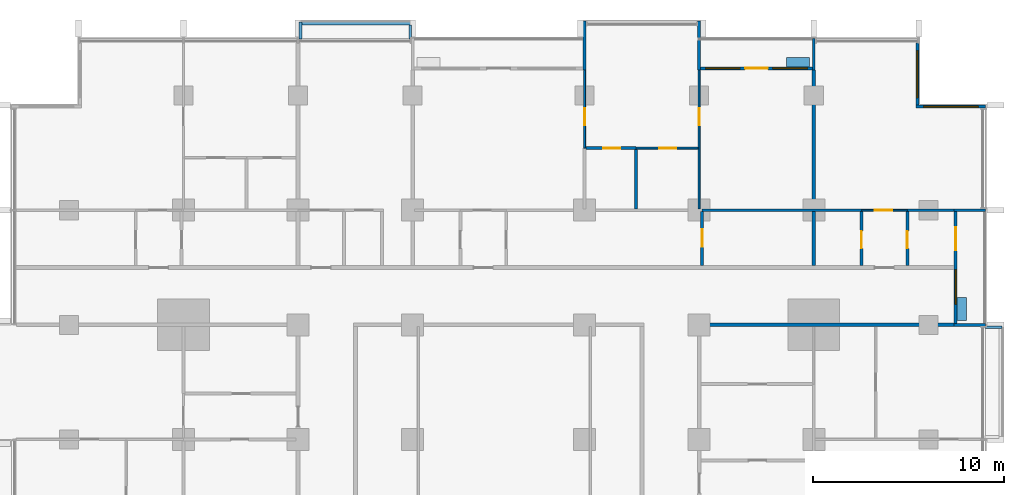
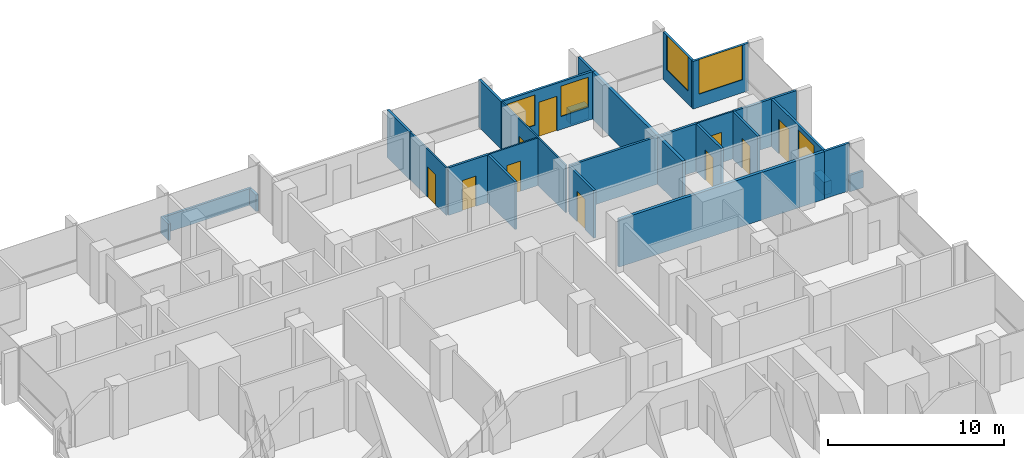
# One storey, part 12 of 19: 29 walls, 10 doors, 5 windows, 15 openings.
"""IFC4 building model written with IfcOpenShell, lengths in metres."""

from ifc_helpers import new_model, si_unit, direction, frame, frame_2d, origin, place, context, subcontext, project, spatial, rectangle, extrude, material, layer, layer_set, type_object, element, fill, save


model = new_model("IFC4")

# Units and contexts
model_context = context("Model", 3, precision=1e-05, world=origin(), true_north=direction((0.0, 1.0)))
body_context = subcontext(model_context, "Body", "Model", "MODEL_VIEW")
ifc_project = project(units=[si_unit("LENGTHUNIT", "METRE"), si_unit("AREAUNIT", "SQUARE_METRE"), si_unit("VOLUMEUNIT", "CUBIC_METRE"), si_unit("PLANEANGLEUNIT", "RADIAN"), si_unit("MASSUNIT", "GRAM", prefix="KILO")], contexts=[model_context])

# Site, building, storey
site_placement = place(None, origin())
site = spatial("IfcSite", under=ifc_project, at=site_placement, CompositionType="ELEMENT")
building_placement = place(site_placement, origin())
building = spatial("IfcBuilding", under=site, at=building_placement, Name="Finial Court Residences", CompositionType="ELEMENT")
storey_placement = place(building_placement, frame((0.0, 0.0, 88.300048828125)))
storey = spatial("IfcBuildingStorey", under=building, at=storey_placement, Name="L21", CompositionType="ELEMENT", Elevation=88.300048828125)

# Walls
ifc_material_1 = material(Name="Gypsum board")
ifc_layer_1 = layer(ifc_material_1, 0.02490234375)
ifc_material_2 = material(Name="Acoustic mineral wool in double frame")
ifc_layer_2 = layer(ifc_material_2, 0.14990234375)
ifc_layer_3 = layer(ifc_material_1, 0.02490234375)
ifc_layer_set_1 = layer_set([ifc_layer_1, ifc_layer_2, ifc_layer_3], Name="Acoustic party wall 200, 1 hour")
wall_type_1 = type_object("IfcWallType", Name="Acoustic party wall 200, 1 hour", PredefinedType="PARTITIONING", material=ifc_layer_set_1)
wall_1_placement = place(storey_placement, frame((16.5, 10.60009765625, 0.0), z_axis=(0.0, 0.0, 1.0), x_axis=(0.0, 1.0, 0.0)))
element("IfcWall", 1, at=wall_1_placement, inside=storey, type_object=wall_type_1, Name="Partition L21-077", PredefinedType="PARTITIONING", context=body_context, shape_type="SweptSolid", body=[
    extrude(rectangle(XDim=2.824951171875, YDim=0.199951171875, at=frame_2d((1.41259765625, 0.0))), origin(), (0.0, 0.0, 1.0), 3.300048828125),
])
wall_2_placement = place(storey_placement, frame((16.5, 13.574951171875, 0.0), z_axis=(0.0, 0.0, 1.0), x_axis=(0.0, 1.0, 0.0)))
element("IfcWall", 2, at=wall_2_placement, inside=storey, type_object=wall_type_1, Name="Partition L21-078", PredefinedType="PARTITIONING", context=body_context, shape_type="SweptSolid", body=[
    extrude(rectangle(XDim=7.275146484375, YDim=0.199951171875, at=frame_2d((3.6376953125, 0.0))), origin(), (0.0, 0.0, 1.0), 3.300048828125),
])
ifc_layer_4 = layer(ifc_material_1, 0.02490234375)
ifc_layer_5 = layer(ifc_material_2, 0.14990234375)
ifc_layer_6 = layer(ifc_material_1, 0.02490234375)
ifc_layer_set_2 = layer_set([ifc_layer_4, ifc_layer_5, ifc_layer_6], Name="Corridor wall 200, 1 hour")
wall_type_2 = type_object("IfcWallType", Name="Corridor wall 200, 1 hour", PredefinedType="PARTITIONING", material=ifc_layer_set_2)
wall_3_placement = place(storey_placement, frame((10.39990234375, 7.5, 0.0), z_axis=(0.0, 0.0, 1.0), x_axis=(1.0, 0.0, 0.0)))
element("IfcWall", 3, at=wall_3_placement, inside=storey, type_object=wall_type_2, Name="Partition L21-024", PredefinedType="PARTITIONING", context=body_context, shape_type="SweptSolid", body=[
    extrude(rectangle(XDim=13.4501953125, YDim=0.199951171875, at=frame_2d((6.72509765625, 0.0))), origin(), (0.0, 0.0, 1.0), 3.300048828125),
])

# Wall, opening, door
ifc_layer_7 = layer(ifc_material_1, 0.012451171875)
ifc_material_3 = material(Name="Mineral wool in light-gauge frame")
ifc_layer_8 = layer(ifc_material_3, 0.074951171875)
ifc_layer_9 = layer(ifc_material_1, 0.012451171875)
ifc_layer_set_3 = layer_set([ifc_layer_7, ifc_layer_8, ifc_layer_9], Name="Gypsum board partition 100")
wall_type_3 = type_object("IfcWallType", Name="Gypsum board partition 100", PredefinedType="PARTITIONING", material=ifc_layer_set_3)
wall_4_placement = place(storey_placement, frame((19.0, 13.5, 0.0), z_axis=(0.0, 0.0, 1.0), x_axis=(1.0, 0.0, 0.0)))
wall_4 = element("IfcWall", 4, at=wall_4_placement, inside=storey, type_object=wall_type_3, Name="Partition L21-029", PredefinedType="PARTITIONING", context=body_context, shape_type="SweptSolid", body=[
    extrude(rectangle(XDim=2.39990234375, YDim=0.10009765625, at=frame_2d((1.199951171875, 0.0))), origin(), (0.0, 0.0, 1.0), 3.300048828125),
])
opening_1_placement = place(wall_4_placement, frame((0.699951171875, 0.0, 0.0)))
opening_1 = element("IfcOpeningElement", 5, at=opening_1_placement, cuts=wall_4, Name="Opening L21-D025", PredefinedType="OPENING", context=body_context, shape_type="SweptSolid", body=[
    extrude(rectangle(XDim=0.89990234375, YDim=2.10009765625, at=frame_2d((0.449951171875, 1.050048828125))), frame((0.0, 0.06005859375, 0.0), z_axis=(0.0, -1.0, 0.0), x_axis=(1.0, 0.0, 0.0)), (0.0, 0.0, 1.0), 0.1201171875),
])
ifc_material_4 = material(Name="Timber door leaf in timber frame", Category="wood")
door_type_1 = type_object("IfcDoorType", Name="Door set 900 x 2100", OperationType="SINGLE_SWING_LEFT", PredefinedType="DOOR", material=ifc_material_4)
door_1_placement = place(opening_1_placement, origin())
door_1 = element("IfcDoor", 6, at=door_1_placement, inside=storey, type_object=door_type_1, Name="Door L21-D025", OperationType="SINGLE_SWING_RIGHT", OverallHeight=2.10009765625, OverallWidth=0.89990234375, PredefinedType="DOOR", context=body_context, shape_type="SweptSolid", body=[
    extrude(rectangle(XDim=0.89990234375, YDim=2.10009765625, at=frame_2d((0.449951171875, 1.050048828125))), frame((0.0, 0.02490234375, 0.0), z_axis=(0.0, -1.0, 0.0), x_axis=(1.0, 0.0, 0.0)), (0.0, 0.0, 1.0), 0.050048828125),
])
fill(opening_1, door_1)

wall_5_placement = place(storey_placement, frame((7.199951171875, 16.75, 0.0), z_axis=(0.0, 0.0, 1.0), x_axis=(1.0, 0.0, 0.0)))
wall_5 = element("IfcWall", 7, at=wall_5_placement, inside=storey, type_object=wall_type_3, Name="Partition L21-039", PredefinedType="PARTITIONING", context=body_context, shape_type="SweptSolid", body=[
    extrude(rectangle(XDim=3.25, YDim=0.10009765625, at=frame_2d((1.625, 0.0))), origin(), (0.0, 0.0, 1.0), 3.300048828125),
])
opening_2_placement = place(wall_5_placement, frame((1.199951171875, 0.0, 0.0)))
opening_2 = element("IfcOpeningElement", 8, at=opening_2_placement, cuts=wall_5, Name="Opening L21-D029", PredefinedType="OPENING", context=body_context, shape_type="SweptSolid", body=[
    extrude(rectangle(XDim=0.89990234375, YDim=2.10009765625, at=frame_2d((0.449951171875, 1.050048828125))), frame((0.0, 0.06005859375, 0.0), z_axis=(0.0, -1.0, 0.0), x_axis=(1.0, 0.0, 0.0)), (0.0, 0.0, 1.0), 0.1201171875),
])
door_2_placement = place(opening_2_placement, origin())
door_2 = element("IfcDoor", 9, at=door_2_placement, inside=storey, type_object=door_type_1, Name="Door L21-D029", OperationType="SINGLE_SWING_LEFT", OverallHeight=2.10009765625, OverallWidth=0.89990234375, PredefinedType="DOOR", context=body_context, shape_type="SweptSolid", body=[
    extrude(rectangle(XDim=0.89990234375, YDim=2.10009765625, at=frame_2d((0.449951171875, 1.050048828125))), frame((0.0, 0.02490234375, 0.0), z_axis=(0.0, -1.0, 0.0), x_axis=(1.0, 0.0, 0.0)), (0.0, 0.0, 1.0), 0.050048828125),
])
fill(opening_2, door_2)

wall_6_placement = place(storey_placement, frame((4.5, 16.75, 0.0), z_axis=(0.0, 0.0, 1.0), x_axis=(0.0, 1.0, 0.0)))
wall_6 = element("IfcWall", 10, at=wall_6_placement, inside=storey, type_object=wall_type_3, Name="Partition L21-064", PredefinedType="PARTITIONING", context=body_context, shape_type="SweptSolid", body=[
    extrude(rectangle(XDim=4.10009765625, YDim=0.10009765625, at=frame_2d((2.050048828125, 0.0))), origin(), (0.0, 0.0, 1.0), 3.300048828125),
])
opening_3_placement = place(wall_6_placement, frame((1.199951171875, 0.0, 0.0)))
opening_3 = element("IfcOpeningElement", 11, at=opening_3_placement, cuts=wall_6, Name="Opening L21-D042", PredefinedType="OPENING", context=body_context, shape_type="SweptSolid", body=[
    extrude(rectangle(XDim=0.89990234375, YDim=2.10009765625, at=frame_2d((0.449951171875, 1.050048828125))), frame((0.0, 0.06005859375, 0.0), z_axis=(0.0, -1.0, 0.0), x_axis=(1.0, 0.0, 0.0)), (0.0, 0.0, 1.0), 0.1201171875),
])
door_3_placement = place(opening_3_placement, origin())
door_3 = element("IfcDoor", 12, at=door_3_placement, inside=storey, type_object=door_type_1, Name="Door L21-D042", OperationType="SINGLE_SWING_LEFT", OverallHeight=2.10009765625, OverallWidth=0.89990234375, PredefinedType="DOOR", context=body_context, shape_type="SweptSolid", body=[
    extrude(rectangle(XDim=0.89990234375, YDim=2.10009765625, at=frame_2d((0.449951171875, 1.050048828125))), frame((0.0, 0.02490234375, 0.0), z_axis=(0.0, -1.0, 0.0), x_axis=(1.0, 0.0, 0.0)), (0.0, 0.0, 1.0), 0.050048828125),
])
fill(opening_3, door_3)

wall_7_placement = place(storey_placement, frame((10.5, 13.574951171875, 0.0), z_axis=(0.0, 0.0, 1.0), x_axis=(0.0, 1.0, 0.0)))
wall_7 = element("IfcWall", 13, at=wall_7_placement, inside=storey, type_object=wall_type_3, Name="Partition L21-070", PredefinedType="PARTITIONING", context=body_context, shape_type="SweptSolid", body=[
    extrude(rectangle(XDim=7.275146484375, YDim=0.10009765625, at=frame_2d((3.6376953125, 0.0))), origin(), (0.0, 0.0, 1.0), 3.300048828125),
])
opening_4_placement = place(wall_7_placement, frame((4.375, 0.0, 0.0)))
opening_4 = element("IfcOpeningElement", 14, at=opening_4_placement, cuts=wall_7, Name="Opening L21-D044", PredefinedType="OPENING", context=body_context, shape_type="SweptSolid", body=[
    extrude(rectangle(XDim=0.89990234375, YDim=2.10009765625, at=frame_2d((0.449951171875, 1.050048828125))), frame((0.0, 0.06005859375, 0.0), z_axis=(0.0, -1.0, 0.0), x_axis=(1.0, 0.0, 0.0)), (0.0, 0.0, 1.0), 0.1201171875),
])
door_4_placement = place(opening_4_placement, origin())
door_4 = element("IfcDoor", 15, at=door_4_placement, inside=storey, type_object=door_type_1, Name="Door L21-D044", OperationType="SINGLE_SWING_RIGHT", OverallHeight=2.10009765625, OverallWidth=0.89990234375, PredefinedType="DOOR", context=body_context, shape_type="SweptSolid", body=[
    extrude(rectangle(XDim=0.89990234375, YDim=2.10009765625, at=frame_2d((0.449951171875, 1.050048828125))), frame((0.0, 0.02490234375, 0.0), z_axis=(0.0, -1.0, 0.0), x_axis=(1.0, 0.0, 0.0)), (0.0, 0.0, 1.0), 0.050048828125),
])
fill(opening_4, door_4)

# Walls
ifc_material_5 = material(Name="Moisture-resistant gypsum board")
ifc_layer_10 = layer(ifc_material_5, 0.012451171875)
ifc_layer_11 = layer(ifc_material_3, 0.125)
ifc_layer_12 = layer(ifc_material_5, 0.012451171875)
ifc_layer_set_4 = layer_set([ifc_layer_10, ifc_layer_11, ifc_layer_12], Name="Gypsum board wet-area partition 150")
wall_type_4 = type_object("IfcWallType", Name="Gypsum board wet-area partition 150", PredefinedType="PARTITIONING", material=ifc_layer_set_4)
wall_8_placement = place(storey_placement, frame((10.64990234375, 13.5, 0.0), z_axis=(0.0, 0.0, 1.0), x_axis=(1.0, 0.0, 0.0)))
element("IfcWall", 16, at=wall_8_placement, inside=storey, type_object=wall_type_4, Name="Partition L21-035", PredefinedType="PARTITIONING", context=body_context, shape_type="SweptSolid", body=[
    extrude(rectangle(XDim=8.35009765625, YDim=0.14990234375, at=frame_2d((4.175048828125, 0.0))), origin(), (0.0, 0.0, 1.0), 3.300048828125),
])
wall_9_placement = place(storey_placement, frame((21.39990234375, 13.5, 0.0), z_axis=(0.0, 0.0, 1.0), x_axis=(1.0, 0.0, 0.0)))
element("IfcWall", 17, at=wall_9_placement, inside=storey, type_object=wall_type_4, Name="Partition L21-036", PredefinedType="PARTITIONING", context=body_context, shape_type="SweptSolid", body=[
    extrude(rectangle(XDim=2.4501953125, YDim=0.14990234375, at=frame_2d((1.22509765625, 0.0))), origin(), (0.0, 0.0, 1.0), 3.300048828125),
])

# Wall, opening, door
wall_10_placement = place(storey_placement, frame((4.574951171875, 16.75, 0.0), z_axis=(0.0, 0.0, 1.0), x_axis=(1.0, 0.0, 0.0)))
wall_10 = element("IfcWall", 18, at=wall_10_placement, inside=storey, type_object=wall_type_4, Name="Partition L21-040", PredefinedType="PARTITIONING", context=body_context, shape_type="SweptSolid", body=[
    extrude(rectangle(XDim=2.625, YDim=0.14990234375, at=frame_2d((1.3125, 0.0))), origin(), (0.0, 0.0, 1.0), 3.300048828125),
])
opening_5_placement = place(wall_10_placement, frame((0.89990234375, 0.0, 0.0)))
opening_5 = element("IfcOpeningElement", 19, at=opening_5_placement, cuts=wall_10, Name="Opening L21-D030", PredefinedType="OPENING", context=body_context, shape_type="SweptSolid", body=[
    extrude(rectangle(XDim=0.89990234375, YDim=2.10009765625, at=frame_2d((0.449951171875, 1.050048828125))), frame((0.0, 0.0849609375, 0.0), z_axis=(0.0, -1.0, 0.0), x_axis=(1.0, 0.0, 0.0)), (0.0, 0.0, 1.0), 0.169921875),
])
door_5_placement = place(opening_5_placement, origin())
door_5 = element("IfcDoor", 20, at=door_5_placement, inside=storey, type_object=door_type_1, Name="Door L21-D030", OperationType="SINGLE_SWING_RIGHT", OverallHeight=2.10009765625, OverallWidth=0.89990234375, PredefinedType="DOOR", context=body_context, shape_type="SweptSolid", body=[
    extrude(rectangle(XDim=0.89990234375, YDim=2.10009765625, at=frame_2d((0.449951171875, 1.050048828125))), frame((0.0, 0.02490234375, 0.0), z_axis=(0.0, -1.0, 0.0), x_axis=(1.0, 0.0, 0.0)), (0.0, 0.0, 1.0), 0.050048828125),
])
fill(opening_5, door_5)

# Wall
wall_11_placement = place(storey_placement, frame((7.199951171875, 13.574951171875, 0.0), z_axis=(0.0, 0.0, 1.0), x_axis=(0.0, 1.0, 0.0)))
element("IfcWall", 21, at=wall_11_placement, inside=storey, type_object=wall_type_4, Name="Partition L21-067", PredefinedType="PARTITIONING", context=body_context, shape_type="SweptSolid", body=[
    extrude(rectangle(XDim=3.10009765625, YDim=0.14990234375, at=frame_2d((1.550048828125, 0.0))), origin(), (0.0, 0.0, 1.0), 3.300048828125),
])

# Wall, opening, door
wall_12_placement = place(storey_placement, frame((10.64990234375, 10.60009765625, 0.0), z_axis=(0.0, 0.0, 1.0), x_axis=(0.0, 1.0, 0.0)))
wall_12 = element("IfcWall", 22, at=wall_12_placement, inside=storey, type_object=wall_type_4, Name="Partition L21-071", PredefinedType="PARTITIONING", context=body_context, shape_type="SweptSolid", body=[
    extrude(rectangle(XDim=2.824951171875, YDim=0.14990234375, at=frame_2d((1.41259765625, 0.0))), origin(), (0.0, 0.0, 1.0), 3.300048828125),
])
opening_6_placement = place(wall_12_placement, frame((1.0, 0.0, 0.0)))
opening_6 = element("IfcOpeningElement", 23, at=opening_6_placement, cuts=wall_12, Name="Opening L21-D045", PredefinedType="OPENING", context=body_context, shape_type="SweptSolid", body=[
    extrude(rectangle(XDim=0.89990234375, YDim=2.10009765625, at=frame_2d((0.449951171875, 1.050048828125))), frame((0.0, 0.0849609375, 0.0), z_axis=(0.0, -1.0, 0.0), x_axis=(1.0, 0.0, 0.0)), (0.0, 0.0, 1.0), 0.169921875),
])
door_6_placement = place(opening_6_placement, origin())
door_6 = element("IfcDoor", 24, at=door_6_placement, inside=storey, type_object=door_type_1, Name="Door L21-D045", OperationType="SINGLE_SWING_RIGHT", OverallHeight=2.10009765625, OverallWidth=0.89990234375, PredefinedType="DOOR", context=body_context, shape_type="SweptSolid", body=[
    extrude(rectangle(XDim=0.89990234375, YDim=2.10009765625, at=frame_2d((0.449951171875, 1.050048828125))), frame((0.0, 0.02490234375, 0.0), z_axis=(0.0, -1.0, 0.0), x_axis=(1.0, 0.0, 0.0)), (0.0, 0.0, 1.0), 0.050048828125),
])
fill(opening_6, door_6)

wall_13_placement = place(storey_placement, frame((19.0, 10.60009765625, 0.0), z_axis=(0.0, 0.0, 1.0), x_axis=(0.0, 1.0, 0.0)))
wall_13 = element("IfcWall", 25, at=wall_13_placement, inside=storey, type_object=wall_type_4, Name="Partition L21-081", PredefinedType="PARTITIONING", context=body_context, shape_type="SweptSolid", body=[
    extrude(rectangle(XDim=2.824951171875, YDim=0.14990234375, at=frame_2d((1.41259765625, 0.0))), origin(), (0.0, 0.0, 1.0), 3.300048828125),
])
opening_7_placement = place(wall_13_placement, frame((0.89990234375, 0.0, 0.0)))
opening_7 = element("IfcOpeningElement", 26, at=opening_7_placement, cuts=wall_13, Name="Opening L21-D048", PredefinedType="OPENING", context=body_context, shape_type="SweptSolid", body=[
    extrude(rectangle(XDim=0.89990234375, YDim=2.10009765625, at=frame_2d((0.449951171875, 1.050048828125))), frame((0.0, 0.0849609375, 0.0), z_axis=(0.0, -1.0, 0.0), x_axis=(1.0, 0.0, 0.0)), (0.0, 0.0, 1.0), 0.169921875),
])
door_7_placement = place(opening_7_placement, origin())
door_7 = element("IfcDoor", 27, at=door_7_placement, inside=storey, type_object=door_type_1, Name="Door L21-D048", OperationType="SINGLE_SWING_RIGHT", OverallHeight=2.10009765625, OverallWidth=0.89990234375, PredefinedType="DOOR", context=body_context, shape_type="SweptSolid", body=[
    extrude(rectangle(XDim=0.89990234375, YDim=2.10009765625, at=frame_2d((0.449951171875, 1.050048828125))), frame((0.0, 0.02490234375, 0.0), z_axis=(0.0, -1.0, 0.0), x_axis=(1.0, 0.0, 0.0)), (0.0, 0.0, 1.0), 0.050048828125),
])
fill(opening_7, door_7)

wall_14_placement = place(storey_placement, frame((21.39990234375, 10.60009765625, 0.0), z_axis=(0.0, 0.0, 1.0), x_axis=(0.0, 1.0, 0.0)))
wall_14 = element("IfcWall", 28, at=wall_14_placement, inside=storey, type_object=wall_type_4, Name="Partition L21-086", PredefinedType="PARTITIONING", context=body_context, shape_type="SweptSolid", body=[
    extrude(rectangle(XDim=2.824951171875, YDim=0.14990234375, at=frame_2d((1.41259765625, 0.0))), origin(), (0.0, 0.0, 1.0), 3.300048828125),
])
opening_8_placement = place(wall_14_placement, frame((0.89990234375, 0.0, 0.0)))
opening_8 = element("IfcOpeningElement", 29, at=opening_8_placement, cuts=wall_14, Name="Opening L21-D053", PredefinedType="OPENING", context=body_context, shape_type="SweptSolid", body=[
    extrude(rectangle(XDim=0.89990234375, YDim=2.10009765625, at=frame_2d((0.449951171875, 1.050048828125))), frame((0.0, 0.0849609375, 0.0), z_axis=(0.0, -1.0, 0.0), x_axis=(1.0, 0.0, 0.0)), (0.0, 0.0, 1.0), 0.169921875),
])
door_8_placement = place(opening_8_placement, origin())
door_8 = element("IfcDoor", 30, at=door_8_placement, inside=storey, type_object=door_type_1, Name="Door L21-D053", OperationType="SINGLE_SWING_RIGHT", OverallHeight=2.10009765625, OverallWidth=0.89990234375, PredefinedType="DOOR", context=body_context, shape_type="SweptSolid", body=[
    extrude(rectangle(XDim=0.89990234375, YDim=2.10009765625, at=frame_2d((0.449951171875, 1.050048828125))), frame((0.0, 0.02490234375, 0.0), z_axis=(0.0, -1.0, 0.0), x_axis=(1.0, 0.0, 0.0)), (0.0, 0.0, 1.0), 0.050048828125),
])
fill(opening_8, door_8)

# Walls
ifc_material_6 = material(Name="Concrete C35/45", Category="concrete")
ifc_layer_13 = layer(ifc_material_6, 0.14990234375)
ifc_layer_set_5 = layer_set([ifc_layer_13], Name="Ledge parapet, Concrete C35/45 150")
wall_type_5 = type_object("IfcWallType", Name="Ledge parapet, Concrete C35/45 150", PredefinedType="PARAPET", material=ifc_layer_set_5)
wall_15_placement = place(storey_placement, frame((-10.375, 22.4599609375, 0.0), z_axis=(0.0, 0.0, 1.0), x_axis=(0.0, 1.0, 0.0)))
element("IfcWall", 31, at=wall_15_placement, inside=storey, type_object=wall_type_5, Name="E-L21-LED1-P1", PredefinedType="PARAPET", context=body_context, shape_type="SweptSolid", body=[
    extrude(rectangle(XDim=0.89013671875, YDim=0.14990234375, at=frame_2d((0.445068359375, 0.0))), origin(), (0.0, 0.0, 1.0), 1.14990234375),
])
wall_16_placement = place(storey_placement, frame((-10.300048828125, 23.27490234375, 0.0), z_axis=(0.0, 0.0, 1.0), x_axis=(1.0, 0.0, 0.0)))
element("IfcWall", 32, at=wall_16_placement, inside=storey, type_object=wall_type_5, Name="E-L21-LED1-P2", PredefinedType="PARAPET", context=body_context, shape_type="SweptSolid", body=[
    extrude(rectangle(XDim=5.75, YDim=0.14990234375, at=frame_2d((2.875, 0.0))), origin(), (0.0, 0.0, 1.0), 1.14990234375),
])
wall_17_placement = place(storey_placement, frame((-4.625, 23.199951171875, 0.0), z_axis=(0.0, 0.0, 1.0), x_axis=(0.0, -1.0, 0.0)))
element("IfcWall", 33, at=wall_17_placement, inside=storey, type_object=wall_type_5, Name="E-L21-LED1-P3", PredefinedType="PARAPET", context=body_context, shape_type="SweptSolid", body=[
    extrude(rectangle(XDim=0.739990234375, YDim=0.14990234375, at=frame_2d((0.3701171875, 0.0))), origin(), (0.0, 0.0, 1.0), 1.14990234375),
])
wall_18_placement = place(storey_placement, frame((25.4599609375, 7.375, 0.0), z_axis=(0.0, 0.0, 1.0), x_axis=(1.0, 0.0, 0.0)))
element("IfcWall", 34, at=wall_18_placement, inside=storey, type_object=wall_type_5, Name="E-L21-LED2-P1", PredefinedType="PARAPET", context=body_context, shape_type="SweptSolid", body=[
    extrude(rectangle(XDim=0.89013671875, YDim=0.14990234375, at=frame_2d((0.445068359375, 0.0))), origin(), (0.0, 0.0, 1.0), 1.14990234375),
])

# Wall, opening, window
ifc_material_7 = material(Name="Natural limestone", Category="masonry")
ifc_layer_14 = layer(ifc_material_7, 0.14990234375)
ifc_layer_set_6 = layer_set([ifc_layer_14], Name="Limestone clad wall 150")
wall_type_6 = type_object("IfcWallType", Name="Limestone clad wall 150", PredefinedType="SOLIDWALL", material=ifc_layer_set_6)
wall_19_placement = place(storey_placement, frame((21.925048828125, 22.25, 0.0), z_axis=(0.0, 0.0, 1.0), x_axis=(0.0, -1.0, 0.0)))
wall_19 = element("IfcWall", 35, at=wall_19_placement, inside=storey, type_object=wall_type_6, Name="E-L21-NWE20", PredefinedType="SOLIDWALL", context=body_context, shape_type="SweptSolid", body=[
    extrude(rectangle(XDim=3.25, YDim=0.14990234375, at=frame_2d((1.625, 0.0))), origin(), (0.0, 0.0, 1.0), 3.300048828125),
])
opening_9_placement = place(wall_19_placement, frame((0.39990234375, 0.0, 0.89990234375)))
opening_9 = element("IfcOpeningElement", 36, at=opening_9_placement, cuts=wall_19, Name="Opening WE21-07", PredefinedType="OPENING", context=body_context, shape_type="SweptSolid", body=[
    extrude(rectangle(XDim=2.449951171875, YDim=2.39990234375, at=frame_2d((1.22509765625, 1.199951171875))), frame((0.0, 0.0849609375, 0.0), z_axis=(0.0, -1.0, 0.0), x_axis=(1.0, 0.0, 0.0)), (0.0, 0.0, 1.0), 0.169921875),
])
ifc_material_8 = material(Name="Clear low-e glass", Category="glass")
window_type_1 = type_object("IfcWindowType", Name="Corner window 2450 x 2400", PartitioningType="SINGLE_PANEL", PredefinedType="WINDOW", material=ifc_material_8)
window_1_placement = place(opening_9_placement, origin())
window_1 = element("IfcWindow", 37, at=window_1_placement, inside=storey, type_object=window_type_1, Name="E-L21-NWE20-W1", OverallHeight=2.39990234375, OverallWidth=2.449951171875, PartitioningType="SINGLE_PANEL", PredefinedType="WINDOW", context=body_context, shape_type="SweptSolid", body=[
    extrude(rectangle(XDim=2.449951171875, YDim=2.39990234375, at=frame_2d((1.22509765625, 1.199951171875))), frame((0.0, 0.030029296875, 0.0), z_axis=(0.0, -1.0, 0.0), x_axis=(1.0, 0.0, 0.0)), (0.0, 0.0, 1.0), 0.06005859375),
])
fill(opening_9, window_1)

wall_20_placement = place(storey_placement, frame((21.85009765625, 18.925048828125, 0.0), z_axis=(0.0, 0.0, 1.0), x_axis=(1.0, 0.0, 0.0)))
wall_20 = element("IfcWall", 38, at=wall_20_placement, inside=storey, type_object=wall_type_6, Name="E-L21-NWN21", PredefinedType="SOLIDWALL", context=body_context, shape_type="SweptSolid", body=[
    extrude(rectangle(XDim=3.64990234375, YDim=0.14990234375, at=frame_2d((1.824951171875, 0.0))), origin(), (0.0, 0.0, 1.0), 3.300048828125),
])
opening_10_placement = place(wall_20_placement, frame((0.39990234375, 0.0, 0.89990234375)))
opening_10 = element("IfcOpeningElement", 39, at=opening_10_placement, cuts=wall_20, Name="Opening WE21-08", PredefinedType="OPENING", context=body_context, shape_type="SweptSolid", body=[
    extrude(rectangle(XDim=2.85009765625, YDim=2.39990234375, at=frame_2d((1.425048828125, 1.199951171875))), frame((0.0, 0.0849609375, 0.0), z_axis=(0.0, -1.0, 0.0), x_axis=(1.0, 0.0, 0.0)), (0.0, 0.0, 1.0), 0.169921875),
])
window_type_2 = type_object("IfcWindowType", Name="Corner window 2850 x 2400", PartitioningType="SINGLE_PANEL", PredefinedType="WINDOW", material=ifc_material_8)
window_2_placement = place(opening_10_placement, origin())
window_2 = element("IfcWindow", 40, at=window_2_placement, inside=storey, type_object=window_type_2, Name="E-L21-NWN21-W1", OverallHeight=2.39990234375, OverallWidth=2.85009765625, PartitioningType="SINGLE_PANEL", PredefinedType="WINDOW", context=body_context, shape_type="SweptSolid", body=[
    extrude(rectangle(XDim=2.85009765625, YDim=2.39990234375, at=frame_2d((1.425048828125, 1.199951171875))), frame((0.0, 0.030029296875, 0.0), z_axis=(0.0, -1.0, 0.0), x_axis=(1.0, 0.0, 0.0)), (0.0, 0.0, 1.0), 0.06005859375),
])
fill(opening_10, window_2)

# Walls
for number, where, z_axis, x_axis, name in (
    (41, (4.5, 20.85009765625, 0.0), (0.0, 0.0, 1.0), (0.0, 1.0, 0.0), "E-L21-BALN4-P2"),
    (42, (10.5, 20.85009765625, 0.0), (0.0, 0.0, 1.0), (0.0, 1.0, 0.0), "E-L21-BALN6-P1"),
):
    element("IfcWall", number, at=place(storey_placement, frame(where, z_axis=z_axis, x_axis=x_axis)), inside=storey, type_object=wall_type_6, Name=name, PredefinedType="SOLIDWALL", context=body_context, shape_type="SweptSolid", body=[
        extrude(rectangle(XDim=2.5498046875, YDim=0.14990234375, at=frame_2d((1.27490234375, 0.0))), origin(), (0.0, 0.0, 1.0), 3.300048828125),
    ])
wall_21_placement = place(storey_placement, frame((16.5, 20.85009765625, 0.0), z_axis=(0.0, 0.0, 1.0), x_axis=(0.0, 1.0, 0.0)))
element("IfcWall", 43, at=wall_21_placement, inside=storey, type_object=wall_type_6, Name="E-L21-BALN6-P2", PredefinedType="SOLIDWALL", context=body_context, shape_type="SweptSolid", body=[
    extrude(rectangle(XDim=1.64990234375, YDim=0.14990234375, at=frame_2d((0.824951171875, 0.0))), origin(), (0.0, 0.0, 1.0), 3.300048828125),
])

# Wall, openings, door, windows
wall_22_placement = place(storey_placement, frame((10.574951171875, 20.925048828125, 0.0), z_axis=(0.0, 0.0, 1.0), x_axis=(1.0, 0.0, 0.0)))
wall_22 = element("IfcWall", 44, at=wall_22_placement, inside=storey, type_object=wall_type_6, Name="E-L21-L21-BALN6-W", PredefinedType="SOLIDWALL", context=body_context, shape_type="SweptSolid", body=[
    extrude(rectangle(XDim=5.85009765625, YDim=0.14990234375, at=frame_2d((2.925048828125, 0.0))), origin(), (0.0, 0.0, 1.0), 3.300048828125),
])
opening_11_placement = place(wall_22_placement, frame((2.324951171875, 0.0, 0.0)))
opening_11 = element("IfcOpeningElement", 45, at=opening_11_placement, cuts=wall_22, Name="Opening DE21-02", PredefinedType="OPENING", context=body_context, shape_type="SweptSolid", body=[
    extrude(rectangle(XDim=1.199951171875, YDim=2.39990234375, at=frame_2d((0.60009765625, 1.199951171875))), frame((0.0, 0.0849609375, 0.0), z_axis=(0.0, -1.0, 0.0), x_axis=(1.0, 0.0, 0.0)), (0.0, 0.0, 1.0), 0.169921875),
])
opening_12_placement = place(wall_22_placement, frame((0.262451171875, 0.0, 0.89990234375)))
opening_12 = element("IfcOpeningElement", 46, at=opening_12_placement, cuts=wall_22, Name="Opening WE21-11", PredefinedType="OPENING", context=body_context, shape_type="SweptSolid", body=[
    extrude(rectangle(XDim=1.800048828125, YDim=2.10009765625, at=frame_2d((0.89990234375, 1.050048828125))), frame((0.0, 0.0849609375, 0.0), z_axis=(0.0, -1.0, 0.0), x_axis=(1.0, 0.0, 0.0)), (0.0, 0.0, 1.0), 0.169921875),
])
opening_13_placement = place(wall_22_placement, frame((3.78759765625, 0.0, 0.89990234375)))
opening_13 = element("IfcOpeningElement", 47, at=opening_13_placement, cuts=wall_22, Name="Opening WE21-12", PredefinedType="OPENING", context=body_context, shape_type="SweptSolid", body=[
    extrude(rectangle(XDim=1.800048828125, YDim=2.10009765625, at=frame_2d((0.89990234375, 1.050048828125))), frame((0.0, 0.0849609375, 0.0), z_axis=(0.0, -1.0, 0.0), x_axis=(1.0, 0.0, 0.0)), (0.0, 0.0, 1.0), 0.169921875),
])
ifc_material_9 = material(Name="Bronze anodised aluminium", Category="aluminium")
door_type_2 = type_object("IfcDoorType", Name="Balcony door 1200 x 2400", OperationType="SINGLE_SWING_LEFT", PredefinedType="DOOR", material=ifc_material_9)
door_9_placement = place(opening_11_placement, origin())
door_9 = element("IfcDoor", 48, at=door_9_placement, inside=storey, type_object=door_type_2, Name="E-L21-L21-BALN6-W-D", OperationType="SINGLE_SWING_LEFT", OverallHeight=2.39990234375, OverallWidth=1.199951171875, PredefinedType="DOOR", context=body_context, shape_type="SweptSolid", body=[
    extrude(rectangle(XDim=1.199951171875, YDim=2.39990234375, at=frame_2d((0.60009765625, 1.199951171875))), frame((0.0, 0.02490234375, 0.0), z_axis=(0.0, -1.0, 0.0), x_axis=(1.0, 0.0, 0.0)), (0.0, 0.0, 1.0), 0.050048828125),
])
fill(opening_11, door_9)
window_type_3 = type_object("IfcWindowType", Name="Balcony window 1800 x 2100", PartitioningType="SINGLE_PANEL", PredefinedType="WINDOW", material=ifc_material_8)
window_3_placement = place(opening_12_placement, origin())
window_3 = element("IfcWindow", 49, at=window_3_placement, inside=storey, type_object=window_type_3, Name="E-L21-L21-BALN6-W-W1", OverallHeight=2.10009765625, OverallWidth=1.800048828125, PartitioningType="SINGLE_PANEL", PredefinedType="WINDOW", context=body_context, shape_type="SweptSolid", body=[
    extrude(rectangle(XDim=1.800048828125, YDim=2.10009765625, at=frame_2d((0.89990234375, 1.050048828125))), frame((0.0, 0.030029296875, 0.0), z_axis=(0.0, -1.0, 0.0), x_axis=(1.0, 0.0, 0.0)), (0.0, 0.0, 1.0), 0.06005859375),
])
fill(opening_12, window_3)
window_4_placement = place(opening_13_placement, origin())
window_4 = element("IfcWindow", 50, at=window_4_placement, inside=storey, type_object=window_type_3, Name="E-L21-L21-BALN6-W-W2", OverallHeight=2.10009765625, OverallWidth=1.800048828125, PartitioningType="SINGLE_PANEL", PredefinedType="WINDOW", context=body_context, shape_type="SweptSolid", body=[
    extrude(rectangle(XDim=1.800048828125, YDim=2.10009765625, at=frame_2d((0.89990234375, 1.050048828125))), frame((0.0, 0.030029296875, 0.0), z_axis=(0.0, -1.0, 0.0), x_axis=(1.0, 0.0, 0.0)), (0.0, 0.0, 1.0), 0.06005859375),
])
fill(opening_13, window_4)

# Walls
for number, where, z_axis, x_axis, name in (
    (51, (23.85009765625, 7.5, 0.0), (0.0, 0.0, 1.0), (1.0, 0.0, 0.0), "E-L21-BALE5-P1"),
    (52, (23.85009765625, 13.5, 0.0), (0.0, 0.0, 1.0), (1.0, 0.0, 0.0), "E-L21-BALE5-P2"),
):
    element("IfcWall", number, at=place(storey_placement, frame(where, z_axis=z_axis, x_axis=x_axis)), inside=storey, type_object=wall_type_6, Name=name, PredefinedType="SOLIDWALL", context=body_context, shape_type="SweptSolid", body=[
        extrude(rectangle(XDim=1.64990234375, YDim=0.14990234375, at=frame_2d((0.824951171875, 0.0))), origin(), (0.0, 0.0, 1.0), 3.300048828125),
    ])

# Wall, openings, door, window
wall_23_placement = place(storey_placement, frame((23.925048828125, 13.425048828125, 0.0), z_axis=(0.0, 0.0, 1.0), x_axis=(0.0, -1.0, 0.0)))
wall_23 = element("IfcWall", 53, at=wall_23_placement, inside=storey, type_object=wall_type_6, Name="E-L21-L21-BALE5-W", PredefinedType="SOLIDWALL", context=body_context, shape_type="SweptSolid", body=[
    extrude(rectangle(XDim=5.85009765625, YDim=0.14990234375, at=frame_2d((2.925048828125, 0.0))), origin(), (0.0, 0.0, 1.0), 3.300048828125),
])
opening_14_placement = place(wall_23_placement, frame((0.824951171875, 0.0, 0.0)))
opening_14 = element("IfcOpeningElement", 54, at=opening_14_placement, cuts=wall_23, Name="Opening DE21-03", PredefinedType="OPENING", context=body_context, shape_type="SweptSolid", body=[
    extrude(rectangle(XDim=1.199951171875, YDim=2.39990234375, at=frame_2d((0.60009765625, 1.199951171875))), frame((0.0, 0.0849609375, 0.0), z_axis=(0.0, -1.0, 0.0), x_axis=(1.0, 0.0, 0.0)), (0.0, 0.0, 1.0), 0.169921875),
])
opening_15_placement = place(wall_23_placement, frame((3.03759765625, 0.0, 0.89990234375)))
opening_15 = element("IfcOpeningElement", 55, at=opening_15_placement, cuts=wall_23, Name="Opening WE21-13", PredefinedType="OPENING", context=body_context, shape_type="SweptSolid", body=[
    extrude(rectangle(XDim=1.800048828125, YDim=2.10009765625, at=frame_2d((0.89990234375, 1.050048828125))), frame((0.0, 0.0849609375, 0.0), z_axis=(0.0, -1.0, 0.0), x_axis=(1.0, 0.0, 0.0)), (0.0, 0.0, 1.0), 0.169921875),
])
door_10_placement = place(opening_14_placement, origin())
door_10 = element("IfcDoor", 56, at=door_10_placement, inside=storey, type_object=door_type_2, Name="E-L21-L21-BALE5-W-D", OperationType="SINGLE_SWING_RIGHT", OverallHeight=2.39990234375, OverallWidth=1.199951171875, PredefinedType="DOOR", context=body_context, shape_type="SweptSolid", body=[
    extrude(rectangle(XDim=1.199951171875, YDim=2.39990234375, at=frame_2d((0.60009765625, 1.199951171875))), frame((0.0, 0.02490234375, 0.0), z_axis=(0.0, -1.0, 0.0), x_axis=(1.0, 0.0, 0.0)), (0.0, 0.0, 1.0), 0.050048828125),
])
fill(opening_14, door_10)
window_5_placement = place(opening_15_placement, origin())
window_5 = element("IfcWindow", 57, at=window_5_placement, inside=storey, type_object=window_type_3, Name="E-L21-L21-BALE5-W-W1", OverallHeight=2.10009765625, OverallWidth=1.800048828125, PartitioningType="SINGLE_PANEL", PredefinedType="WINDOW", context=body_context, shape_type="SweptSolid", body=[
    extrude(rectangle(XDim=1.800048828125, YDim=2.10009765625, at=frame_2d((0.89990234375, 1.050048828125))), frame((0.0, 0.030029296875, 0.0), z_axis=(0.0, -1.0, 0.0), x_axis=(1.0, 0.0, 0.0)), (0.0, 0.0, 1.0), 0.06005859375),
])
fill(opening_15, window_5)

# Walls
ifc_material_10 = material(Name="Concrete C40/50", Category="concrete")
ifc_layer_15 = layer(ifc_material_10, 0.10009765625)
ifc_material_11 = material(Name="Planting soil", Category="soil")
ifc_layer_16 = layer(ifc_material_11, 0.300048828125)
ifc_layer_17 = layer(ifc_material_10, 0.10009765625)
ifc_layer_set_7 = layer_set([ifc_layer_15, ifc_layer_16, ifc_layer_17], Name="Planter wall, balcony")
wall_type_7 = type_object("IfcWallType", Name="Planter wall, balcony", PredefinedType="USERDEFINED", material=ifc_layer_set_7)
for number, where, z_axis, x_axis, name in (
    (58, (15.074951171875, 21.25, 0.0), (0.0, 0.0, 1.0), (1.0, 0.0, 0.0), "E-L21-BALN6-PL"),
    (59, (24.25, 7.72509765625, 0.0), (0.0, 0.0, 1.0), (0.0, 1.0, 0.0), "E-L21-BALE5-PL"),
):
    element("IfcWall", number, at=place(storey_placement, frame(where, z_axis=z_axis, x_axis=x_axis)), inside=storey, type_object=wall_type_7, Name=name, ObjectType="PLANTER", PredefinedType="USERDEFINED", context=body_context, shape_type="SweptSolid", body=[
        extrude(rectangle(XDim=1.199951171875, YDim=0.5, at=frame_2d((0.60009765625, 0.0))), origin(), (0.0, 0.0, 1.0), 0.89990234375),
    ])

save(model, "model.ifc")
